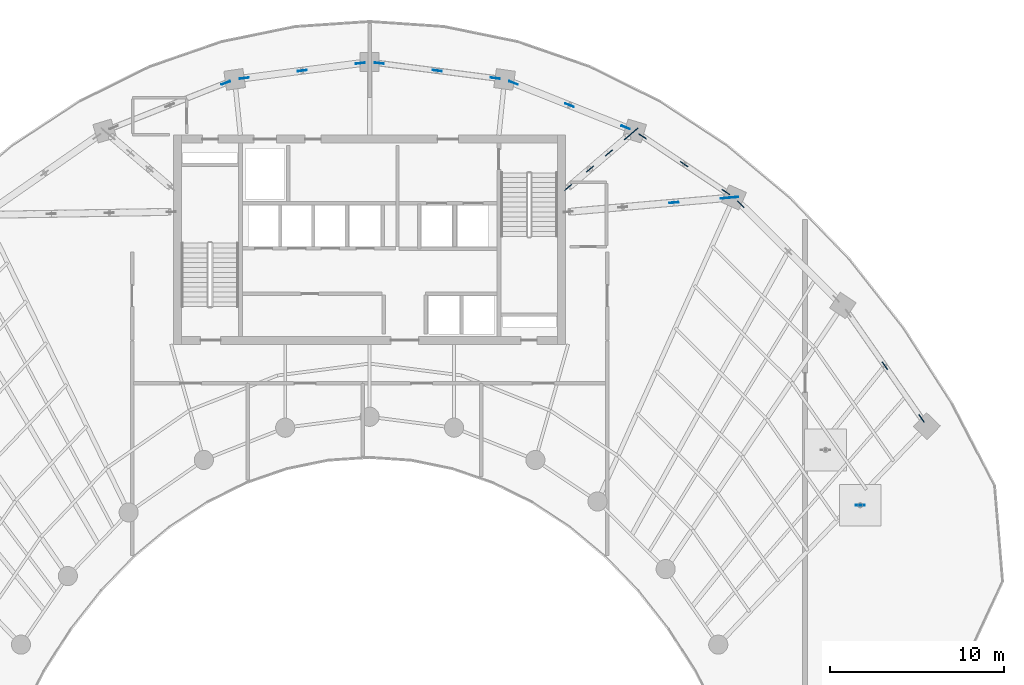
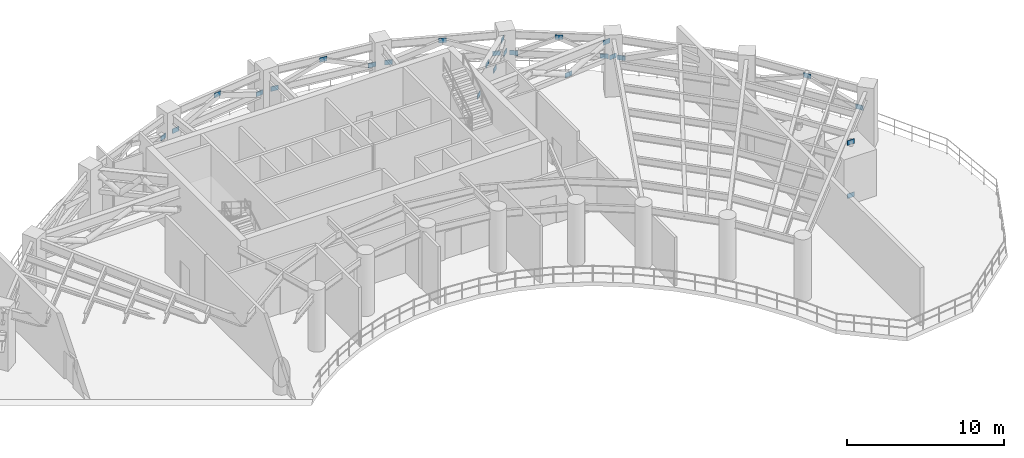
# One storey, part 10 of 24: 26 plates.
"""IFC4 building model written with IfcOpenShell, lengths in metres."""

from ifc_helpers import new_model, si_unit, direction, frame, origin, origin_2d, place, context, subcontext, project, spatial, rectangle, extrude, source, transform, mapped, material, layer, layer_set, type_object, element, save


model = new_model("IFC4")

# Units and contexts
model_context = context("Model", 3, precision=1e-05, world=origin(), true_north=direction((0.0, 1.0)))
body_context = subcontext(model_context, "Body", "Model", "MODEL_VIEW")
ifc_project = project(units=[si_unit("LENGTHUNIT", "METRE"), si_unit("AREAUNIT", "SQUARE_METRE"), si_unit("VOLUMEUNIT", "CUBIC_METRE"), si_unit("PLANEANGLEUNIT", "RADIAN"), si_unit("MASSUNIT", "GRAM", prefix="KILO")], contexts=[model_context])

# Site, building, storey
site_placement = place(None, origin())
site = spatial("IfcSite", under=ifc_project, at=site_placement, CompositionType="ELEMENT")
building_placement = place(site_placement, origin())
building = spatial("IfcBuilding", under=site, at=building_placement, Name="Breltana Convention Tower", CompositionType="ELEMENT")
storey_placement = place(building_placement, frame((0.0, 0.0, 189.60009765625)))
storey = spatial("IfcBuildingStorey", under=building, at=storey_placement, Name="L46", CompositionType="ELEMENT", Elevation=189.60009765625)

# Plates
ifc_material = material(Name="Steel S355", Category="steel")
ifc_layer = layer(ifc_material, 0.0400390625, Name="Steel S355")
ifc_layer_set = layer_set([ifc_layer], Name="Steel S355")
plate_type = type_object("IfcPlateType", Name="PL-GUSSET-40", PredefinedType="USERDEFINED", material=ifc_layer_set)
shared_shape = source(origin(), body_context, "Body", "SweptSolid", [
    extrude(rectangle(XDim=0.52001953125, YDim=0.0400390625, at=origin_2d()), origin(), (0.0, 0.0, 1.0), 0.360107421875),
])
for number, where, z_axis, x_axis, name in (
    (1, (59.39990234375, 69.199951171875, 2.56982421875), (0.0, 0.0, 1.0), (0.761425177676, 0.648252804699, 0.0), "L46 Structural Brace Node Gusset Plate 011"),
    (2, (63.208984375, 72.4423828125, 2.56982421875), (0.0, 0.0, 1.0), (0.761425177676, 0.648252804699, 0.0), "L46 Structural Brace Node Gusset Plate 012"),
    (3, (60.644287109375, 70.25927734375, 3.91357421875), (0.0, 0.0, 1.0), (0.761425177676, 0.648252804699, 0.0), "L46 Structural Brace Node Gusset Plate 013"),
    (4, (61.736328125, 71.188720703125, 2.56982421875), (0.0, 0.0, 1.0), (0.761425177676, 0.648252804699, 0.0), "L46 Structural Brace Node Gusset Plate 014"),
    (5, (62.828369140625, 72.118408203125, 3.91357421875), (0.0, 0.0, 1.0), (0.761425177676, 0.648252804699, 0.0), "L46 Structural Brace Node Gusset Plate 015"),
    (6, (68.910400390625, 68.63330078125, 2.56982421875), (0.0, 0.0, 1.0), (0.996179471372, 0.087329610194, 0.0), "L46 Structural Brace Node Gusset Plate 017"),
    (7, (65.474609375, 68.332275390625, 2.56982421875), (0.0, 0.0, 1.0), (0.996179471372, 0.087329610194, 0.0), "L46 Structural Brace Node Gusset Plate 019"),
    (8, (68.412353515625, 68.589599609375, 3.91357421875), (0.0, 0.0, 1.0), (0.996179471372, 0.087329610194, 0.0), "L46 Structural Brace Node Gusset Plate 020"),
    (9, (39.741943359375, 75.201416015625, 2.56982421875), (0.0, 0.0, 1.0), (0.929454882621, 0.36893579546, 0.0), "L46 Structural Brace Node Gusset Plate 032"),
    (10, (40.798583984375, 75.474853515625, 2.56982421875), (0.0, 0.0, 1.0), (0.99178318013, 0.127930151302, 0.0), "L46 Structural Brace Node Gusset Plate 033"),
    (11, (44.126708984375, 75.904296875, 3.91357421875), (0.0, 0.0, 1.0), (0.99178318013, 0.127930151302, 0.0), "L46 Structural Brace Node Gusset Plate 034"),
    (12, (47.45458984375, 76.33349609375, 2.56982421875), (0.0, 0.0, 1.0), (0.99178318013, 0.127930151302, 0.0), "L46 Structural Brace Node Gusset Plate 035"),
    (13, (48.54541015625, 76.33349609375, 2.56982421875), (0.0, 0.0, 1.0), (0.99178318013, -0.127930151302, 0.0), "L46 Structural Brace Node Gusset Plate 036"),
    (14, (51.873291015625, 75.904296875, 3.91357421875), (0.0, 0.0, 1.0), (0.99178318013, -0.127930151302, 0.0), "L46 Structural Brace Node Gusset Plate 037"),
    (15, (55.201416015625, 75.474853515625, 2.56982421875), (0.0, 0.0, 1.0), (0.99178318013, -0.127930151302, 0.0), "L46 Structural Brace Node Gusset Plate 038"),
    (16, (56.258056640625, 75.201416015625, 2.56982421875), (0.0, 0.0, 1.0), (0.929454882621, -0.36893579546, 0.0), "L46 Structural Brace Node Gusset Plate 039"),
    (17, (59.477783203125, 73.923583984375, 3.91357421875), (0.0, 0.0, 1.0), (0.929454882621, -0.36893579546, 0.0), "L46 Structural Brace Node Gusset Plate 040"),
    (18, (62.69775390625, 72.6455078125, 2.56982421875), (0.0, 0.0, 1.0), (0.929454882621, -0.36893579546, 0.0), "L46 Structural Brace Node Gusset Plate 041"),
    (19, (63.666259765625, 72.136962890625, 2.56982421875), (0.0, 0.0, 1.0), (0.831469612303, -0.55557023302, 0.0), "L46 Structural Brace Node Gusset Plate 042"),
    (20, (66.059814453125, 70.537841796875, 3.91357421875), (0.0, 0.0, 1.0), (0.831469612303, -0.55557023302, 0.0), "L46 Structural Brace Node Gusset Plate 043"),
    (21, (68.453125, 68.938720703125, 2.56982421875), (0.0, 0.0, 1.0), (0.831469612303, -0.55557023302, 0.0), "L46 Structural Brace Node Gusset Plate 044"),
    (22, (69.301025390625, 68.24609375, 2.56982421875), (0.0, 0.0, 1.0), (0.710062491058, -0.704138664464, 0.0), "L46 Structural Brace Node Gusset Plate 045"),
    (23, (77.579833984375, 58.962158203125, 3.91357421875), (0.0, 0.0, 1.0), (0.571143442153, -0.820850271661, 0.0), "L46 Structural Brace Node Gusset Plate 049"),
    (24, (79.678955078125, 55.94580078125, 2.56982421875), (0.0, 0.0, 1.0), (0.571143442153, -0.820850271661, 0.0), "L46 Structural Brace Node Gusset Plate 050"),
    (25, (76.1640625, 50.958740234375, 0.0), (0.0, 0.0, 1.0), (1.0, 0.0, 0.0), "L46 Structural Brace Node Gusset Plate 057"),
    (26, (76.1640625, 50.958740234375, 4.11962890625), (0.0, 0.0, 1.0), (1.0, 0.0, 0.0), "L46 Structural Brace Node Gusset Plate 058"),
):
    element("IfcPlate", number, at=place(storey_placement, frame(where, z_axis=z_axis, x_axis=x_axis)), inside=storey, type_object=plate_type, Name=name, ObjectType="GUSSET_PLATE", PredefinedType="USERDEFINED", context=body_context, shape_type="MappedRepresentation", body=[
        mapped(shared_shape, transform((0.0, 0.0, 0.0), scale=1.0)),
    ])

save(model, "model.ifc")
